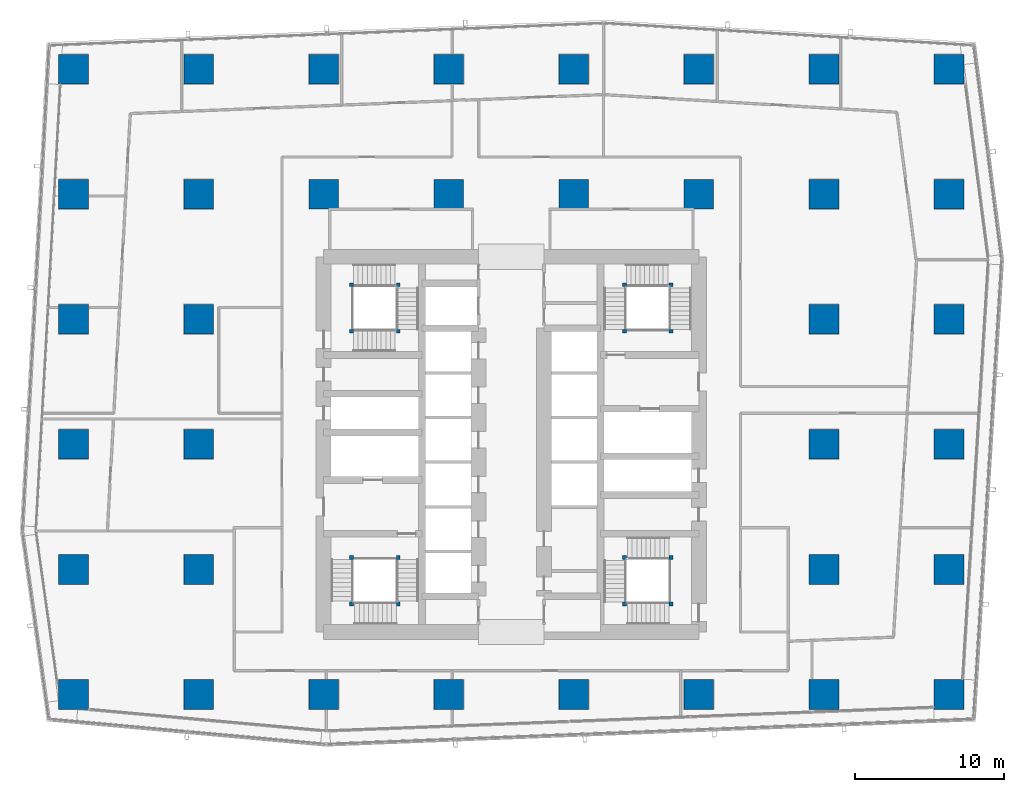
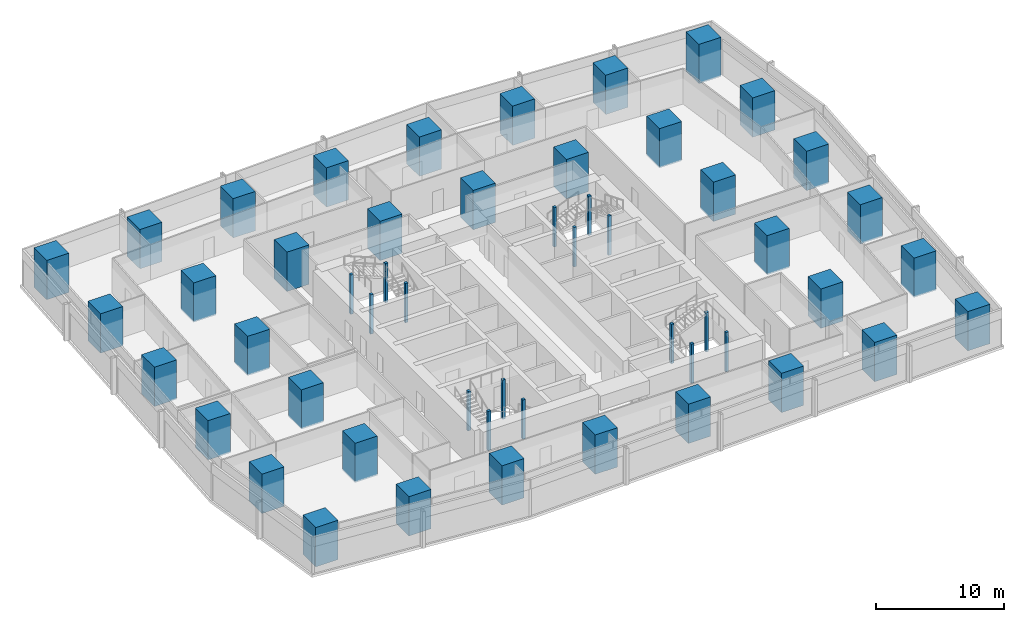
# One storey, part 1 of 39: 52 columns.
"""IFC4 building model written with IfcOpenShell, lengths in metres."""

from ifc_helpers import new_model, si_unit, direction, frame, origin, origin_2d, place, context, subcontext, project, spatial, rectangle, extrude, material, material_profile, profile_set, type_object, element, save


model = new_model("IFC4")

# Units and contexts
model_context = context("Model", 3, precision=1e-05, world=origin(), true_north=direction((0.0, 1.0)))
body_context = subcontext(model_context, "Body", "Model", "MODEL_VIEW")
ifc_project = project(units=[si_unit("LENGTHUNIT", "METRE"), si_unit("AREAUNIT", "SQUARE_METRE"), si_unit("VOLUMEUNIT", "CUBIC_METRE"), si_unit("PLANEANGLEUNIT", "RADIAN"), si_unit("MASSUNIT", "GRAM", prefix="KILO")], contexts=[model_context])

# Site, building, storey
site_placement = place(None, origin())
site = spatial("IfcSite", under=ifc_project, at=site_placement, CompositionType="ELEMENT")
building_placement = place(site_placement, origin())
building = spatial("IfcBuilding", under=site, at=building_placement, Name="Rekha Terrace Tower", CompositionType="ELEMENT")
storey_placement = place(building_placement, frame((0.0, 0.0, 151.550048828125)))
storey = spatial("IfcBuildingStorey", under=building, at=storey_placement, Name="L38", CompositionType="ELEMENT", Elevation=151.550048828125)

# Columns
ifc_material_1 = material(Name="Concrete M70", Category="concrete")
ifc_material_profile_1 = material_profile(ifc_material_1, rectangle(XDim=2.0, YDim=2.0, at=origin_2d()), Name="RC 2000x2000")
ifc_profile_set_1 = profile_set([ifc_material_profile_1], Name="Concrete M70")
column_type_1 = type_object("IfcColumnType", Name="C3C 2000x2000 column", PredefinedType="COLUMN", material=ifc_profile_set_1)
for number, where, z_axis, x_axis, name in (
    (1, (8.39990234375, 16.800048828125, 0.0), (0.0, 0.0, 1.0), (1.0, 0.0, 0.0), "Column C3C 2/C L38"),
    (2, (8.39990234375, 25.199951171875, 0.0), (0.0, 0.0, 1.0), (1.0, 0.0, 0.0), "Column C3C 2/D L38"),
    (3, (8.39990234375, 33.60009765625, 0.0), (0.0, 0.0, 1.0), (1.0, 0.0, 0.0), "Column C3C 2/E L38"),
    (4, (8.39990234375, 42.0, 0.0), (0.0, 0.0, 1.0), (1.0, 0.0, 0.0), "Column C3C 2/F L38"),
    (5, (8.39990234375, 50.39990234375, 0.0), (0.0, 0.0, 1.0), (1.0, 0.0, 0.0), "Column C3C 2/G L38"),
    (6, (8.39990234375, 58.800048828125, 0.0), (0.0, 0.0, 1.0), (1.0, 0.0, 0.0), "Column C3C 2/H L38"),
    (7, (16.800048828125, 16.800048828125, 0.0), (0.0, 0.0, 1.0), (1.0, 0.0, 0.0), "Column C3C 3/C L38"),
    (8, (16.800048828125, 25.199951171875, 0.0), (0.0, 0.0, 1.0), (1.0, 0.0, 0.0), "Column C3C 3/D L38"),
    (9, (16.800048828125, 33.60009765625, 0.0), (0.0, 0.0, 1.0), (1.0, 0.0, 0.0), "Column C3C 3/E L38"),
    (10, (16.800048828125, 42.0, 0.0), (0.0, 0.0, 1.0), (1.0, 0.0, 0.0), "Column C3C 3/F L38"),
    (11, (16.800048828125, 50.39990234375, 0.0), (0.0, 0.0, 1.0), (1.0, 0.0, 0.0), "Column C3C 3/G L38"),
    (12, (16.800048828125, 58.800048828125, 0.0), (0.0, 0.0, 1.0), (1.0, 0.0, 0.0), "Column C3C 3/H L38"),
    (13, (25.199951171875, 16.800048828125, 0.0), (0.0, 0.0, 1.0), (1.0, 0.0, 0.0), "Column C3C 4/C L38"),
    (14, (25.199951171875, 50.39990234375, 0.0), (0.0, 0.0, 1.0), (1.0, 0.0, 0.0), "Column C3C 4/G L38"),
    (15, (25.199951171875, 58.800048828125, 0.0), (0.0, 0.0, 1.0), (1.0, 0.0, 0.0), "Column C3C 4/H L38"),
    (16, (33.60009765625, 16.800048828125, 0.0), (0.0, 0.0, 1.0), (1.0, 0.0, 0.0), "Column C3C 5/C L38"),
    (17, (33.60009765625, 50.39990234375, 0.0), (0.0, 0.0, 1.0), (1.0, 0.0, 0.0), "Column C3C 5/G L38"),
    (18, (33.60009765625, 58.800048828125, 0.0), (0.0, 0.0, 1.0), (1.0, 0.0, 0.0), "Column C3C 5/H L38"),
    (19, (42.0, 16.800048828125, 0.0), (0.0, 0.0, 1.0), (1.0, 0.0, 0.0), "Column C3C 6/C L38"),
    (20, (42.0, 50.39990234375, 0.0), (0.0, 0.0, 1.0), (1.0, 0.0, 0.0), "Column C3C 6/G L38"),
    (21, (42.0, 58.800048828125, 0.0), (0.0, 0.0, 1.0), (1.0, 0.0, 0.0), "Column C3C 6/H L38"),
    (22, (50.39990234375, 16.800048828125, 0.0), (0.0, 0.0, 1.0), (1.0, 0.0, 0.0), "Column C3C 7/C L38"),
    (23, (50.39990234375, 50.39990234375, 0.0), (0.0, 0.0, 1.0), (1.0, 0.0, 0.0), "Column C3C 7/G L38"),
    (24, (50.39990234375, 58.800048828125, 0.0), (0.0, 0.0, 1.0), (1.0, 0.0, 0.0), "Column C3C 7/H L38"),
    (25, (58.800048828125, 16.800048828125, 0.0), (0.0, 0.0, 1.0), (1.0, 0.0, 0.0), "Column C3C 8/C L38"),
    (26, (58.800048828125, 25.199951171875, 0.0), (0.0, 0.0, 1.0), (1.0, 0.0, 0.0), "Column C3C 8/D L38"),
    (27, (58.800048828125, 33.60009765625, 0.0), (0.0, 0.0, 1.0), (1.0, 0.0, 0.0), "Column C3C 8/E L38"),
    (28, (58.800048828125, 42.0, 0.0), (0.0, 0.0, 1.0), (1.0, 0.0, 0.0), "Column C3C 8/F L38"),
    (29, (58.800048828125, 50.39990234375, 0.0), (0.0, 0.0, 1.0), (1.0, 0.0, 0.0), "Column C3C 8/G L38"),
    (30, (58.800048828125, 58.800048828125, 0.0), (0.0, 0.0, 1.0), (1.0, 0.0, 0.0), "Column C3C 8/H L38"),
    (31, (67.199951171875, 16.800048828125, 0.0), (0.0, 0.0, 1.0), (1.0, 0.0, 0.0), "Column C3C 9/C L38"),
    (32, (67.199951171875, 25.199951171875, 0.0), (0.0, 0.0, 1.0), (1.0, 0.0, 0.0), "Column C3C 9/D L38"),
    (33, (67.199951171875, 33.60009765625, 0.0), (0.0, 0.0, 1.0), (1.0, 0.0, 0.0), "Column C3C 9/E L38"),
    (34, (67.199951171875, 42.0, 0.0), (0.0, 0.0, 1.0), (1.0, 0.0, 0.0), "Column C3C 9/F L38"),
    (35, (67.199951171875, 50.39990234375, 0.0), (0.0, 0.0, 1.0), (1.0, 0.0, 0.0), "Column C3C 9/G L38"),
    (36, (67.199951171875, 58.800048828125, 0.0), (0.0, 0.0, 1.0), (1.0, 0.0, 0.0), "Column C3C 9/H L38"),
):
    element("IfcColumn", number, at=place(storey_placement, frame(where, z_axis=z_axis, x_axis=x_axis)), inside=storey, type_object=column_type_1, Name=name, PredefinedType="COLUMN", context=body_context, shape_type="SweptSolid", body=[
        extrude(rectangle(XDim=2.0, YDim=2.0, at=origin_2d()), origin(), (0.0, 0.0, 1.0), 3.75),
    ])
ifc_material_2 = material(Name="Concrete M60", Category="concrete")
ifc_material_profile_2 = material_profile(ifc_material_2, rectangle(XDim=0.25, YDim=0.25, at=origin_2d()), Name="RC 250x250")
ifc_profile_set_2 = profile_set([ifc_material_profile_2], Name="Concrete M60")
column_type_2 = type_object("IfcColumnType", Name="NP1 250x250 stair newel post", PredefinedType="COLUMN", material=ifc_profile_set_2)
for number, where, z_axis, x_axis, name in (
    (37, (30.199951171875, 26.0, 0.0), (0.0, 0.0, 1.0), (1.0, 0.0, 0.0), "Stair newel post NP1"),
    (38, (30.199951171875, 22.875, 0.0), (0.0, 0.0, 1.0), (1.0, 0.0, 0.0), "Stair newel post NP1"),
    (39, (27.074951171875, 22.875, 0.0), (0.0, 0.0, 1.0), (1.0, 0.0, 0.0), "Stair newel post NP1"),
    (40, (27.074951171875, 26.0, 0.0), (0.0, 0.0, 1.0), (1.0, 0.0, 0.0), "Stair newel post NP1"),
    (41, (45.39990234375, 41.199951171875, 0.0), (0.0, 0.0, 1.0), (1.0, 0.0, 0.0), "Stair newel post NP1"),
    (42, (45.39990234375, 44.324951171875, 0.0), (0.0, 0.0, 1.0), (1.0, 0.0, 0.0), "Stair newel post NP1"),
    (43, (48.52490234375, 44.324951171875, 0.0), (0.0, 0.0, 1.0), (1.0, 0.0, 0.0), "Stair newel post NP1"),
    (44, (48.52490234375, 41.199951171875, 0.0), (0.0, 0.0, 1.0), (1.0, 0.0, 0.0), "Stair newel post NP1"),
    (45, (48.52490234375, 22.875, 0.0), (0.0, 0.0, 1.0), (1.0, 0.0, 0.0), "Stair newel post NP1"),
    (46, (45.39990234375, 22.875, 0.0), (0.0, 0.0, 1.0), (1.0, 0.0, 0.0), "Stair newel post NP1"),
    (47, (45.39990234375, 26.0, 0.0), (0.0, 0.0, 1.0), (1.0, 0.0, 0.0), "Stair newel post NP1"),
    (48, (48.52490234375, 26.0, 0.0), (0.0, 0.0, 1.0), (1.0, 0.0, 0.0), "Stair newel post NP1"),
    (49, (27.074951171875, 41.199951171875, 0.0), (0.0, 0.0, 1.0), (1.0, 0.0, 0.0), "Stair newel post NP1"),
    (50, (30.199951171875, 41.199951171875, 0.0), (0.0, 0.0, 1.0), (1.0, 0.0, 0.0), "Stair newel post NP1"),
    (51, (30.199951171875, 44.324951171875, 0.0), (0.0, 0.0, 1.0), (1.0, 0.0, 0.0), "Stair newel post NP1"),
    (52, (27.074951171875, 44.324951171875, 0.0), (0.0, 0.0, 1.0), (1.0, 0.0, 0.0), "Stair newel post NP1"),
):
    element("IfcColumn", number, at=place(storey_placement, frame(where, z_axis=z_axis, x_axis=x_axis)), inside=storey, type_object=column_type_2, Name=name, PredefinedType="COLUMN", context=body_context, shape_type="SweptSolid", body=[
        extrude(rectangle(XDim=0.25, YDim=0.25, at=origin_2d()), origin(), (0.0, 0.0, 1.0), 3.75),
    ])

save(model, "model.ifc")
